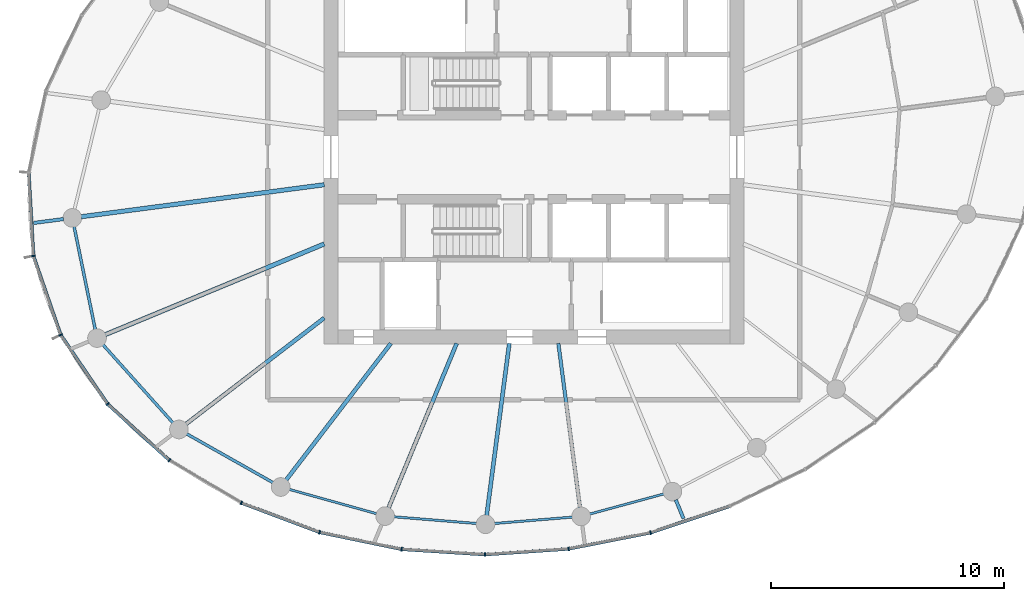
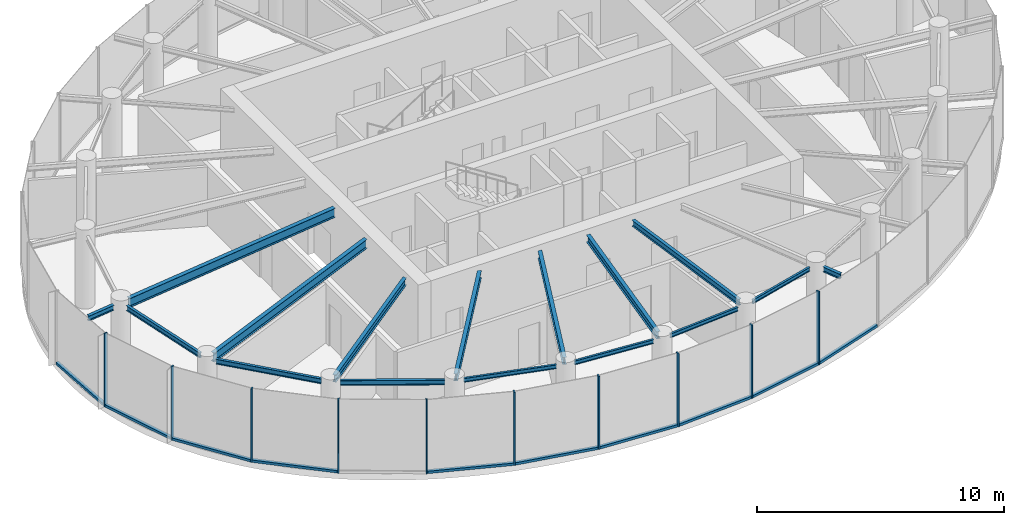
# One storey, part 2 of 13: 20 members, 16 beams, 3 elements without a shape of their own.
"""IFC4 building model written with IfcOpenShell, lengths in metres."""

import ifcopenshell
import ifcopenshell.guid

model = None  # the IFC model being written
_history = None  # IfcOwnerHistory: only IFC2X3 demands one
_inside = {}  # id of a spatial element -> (the spatial element, [elements in it])
_under = {}  # id of a project, library or spatial element -> (it, [spatial elements below it])
_declared = {}  # id of a project -> (the project, [libraries it declares])
_typed = {}  # id of a type object -> (the type object, [elements of that type])
_made_of = {}  # id of a material, layer set ... -> (it, [elements and type objects made of it])


def new_model(schema):
    """Start an empty IFC model of exactly this schema.

    Asked for "IFC4X3", IfcOpenShell would pick the latest addendum, in which some entities
    have other attributes; the version numbers below select the first issue.
    IFC2X3 requires an IfcOwnerHistory on every rooted entity: one is made here for all.
    """
    global model, _history
    if schema == "IFC4X3":
        model = ifcopenshell.file(schema_version=(4, 3, 0, 0))
    else:
        model = ifcopenshell.file(schema=schema)
    _inside.clear()
    _under.clear()
    _declared.clear()
    _typed.clear()
    _made_of.clear()
    _history = None
    if model.schema == "IFC2X3":
        org = make("IfcOrganization", Name="unknown")
        user = make(
            "IfcPersonAndOrganization",
            ThePerson=make("IfcPerson", FamilyName="unknown"),
            TheOrganization=org,
        )
        app = make(
            "IfcApplication",
            ApplicationDeveloper=org,
            Version="unknown",
            ApplicationFullName="unknown",
            ApplicationIdentifier="unknown",
        )
        _history = make(
            "IfcOwnerHistory",
            OwningUser=user,
            OwningApplication=app,
            ChangeAction="ADDED",
            CreationDate=0,
        )
    return model


def make(cls, **values):
    """One entity of the class cls with the attributes given. An attribute that is None is left unset."""
    return model.create_entity(
        cls, **{name: value for name, value in values.items() if value is not None}
    )


def rooted(cls, **values):
    """An entity with a GlobalId (a new one), such as an element, a storey or a relation."""
    return make(cls, GlobalId=ifcopenshell.guid.new(), OwnerHistory=_history, **values)


def si_unit(unit_type, name, prefix=None):
    """IfcSIUnit, for example si_unit("LENGTHUNIT", "METRE", prefix="MILLI")."""
    return make("IfcSIUnit", UnitType=unit_type, Prefix=prefix, Name=name)


def assignment(units):
    """IfcUnitAssignment: the units of a project."""
    return None if units is None else make("IfcUnitAssignment", Units=units)


def point(xyz):
    """IfcCartesianPoint."""
    return None if xyz is None else make("IfcCartesianPoint", Coordinates=xyz)


def direction(xyz):
    """IfcDirection."""
    return None if xyz is None else make("IfcDirection", DirectionRatios=xyz)


def frame(location, z_axis=None, x_axis=None):
    """IfcAxis2Placement3D, a coordinate frame: its origin and axes. An axis left out is left unset."""
    return make(
        "IfcAxis2Placement3D",
        Location=point(location),
        Axis=direction(z_axis),
        RefDirection=direction(x_axis),
    )


def frame_2d(location, x_axis=None):
    """IfcAxis2Placement2D, a coordinate frame in the plane: its origin and x axis."""
    return make(
        "IfcAxis2Placement2D", Location=point(location), RefDirection=direction(x_axis)
    )


def origin():
    """The frame at (0, 0, 0) with its axes left unset."""
    return frame((0.0, 0.0, 0.0))


def origin_2d():
    """The frame at (0, 0) in the plane with its x axis left unset."""
    return frame_2d((0.0, 0.0))


def place(relative_to, where):
    """IfcLocalPlacement: puts the frame where relative to a parent placement (None: the world)."""
    return make(
        "IfcLocalPlacement", PlacementRelTo=relative_to, RelativePlacement=where
    )


def context(
    kind, dimensions, precision=None, world=None, true_north=None, identifier=None
):
    """IfcGeometricRepresentationContext, for example the 3D "Model" context."""
    return make(
        "IfcGeometricRepresentationContext",
        ContextIdentifier=identifier,
        ContextType=kind,
        CoordinateSpaceDimension=dimensions,
        Precision=precision,
        WorldCoordinateSystem=world,
        TrueNorth=true_north,
    )


def subcontext(parent, identifier, kind, view, scale=None):
    """IfcGeometricRepresentationSubContext, for example "Body" below "Model"."""
    return make(
        "IfcGeometricRepresentationSubContext",
        ContextIdentifier=identifier,
        ContextType=kind,
        ParentContext=parent,
        TargetScale=scale,
        TargetView=view,
    )


def project(units=None, contexts=None):
    """IfcProject with its units and contexts."""
    return rooted(
        "IfcProject",
        Name="project",
        RepresentationContexts=contexts,
        UnitsInContext=assignment(units),
    )


def spatial(cls, under=None, at=None, **own):
    """A site, building, storey or space (cls), placed at a placement, below another one or the project."""
    s = rooted(cls, ObjectPlacement=at, **own)
    if under is not None:
        _under.setdefault(under.id(), (under, []))[1].append(s)
    return s


def profile(cls, at=None, kind="AREA", **sizes):
    """A parametric profile (cls). Its sizes go by their IFC names, for example OverallWidth=200.0."""
    return make(cls, ProfileType=kind, Position=at, **sizes)


def rectangle(**sizes):
    """IfcRectangleProfileDef."""
    return profile("IfcRectangleProfileDef", **sizes)


def i_section(**sizes):
    """IfcIShapeProfileDef."""
    return profile("IfcIShapeProfileDef", **sizes)


def extrude(swept, where, along, depth):
    """IfcExtrudedAreaSolid: the profile swept, set in the frame where, extruded along a direction by depth."""
    return make(
        "IfcExtrudedAreaSolid",
        SweptArea=swept,
        Position=where,
        ExtrudedDirection=direction(along),
        Depth=depth,
    )


def shape(context_of_items, identifier, shape_type, items):
    """IfcShapeRepresentation: the items that make up one representation, for example the "Body"."""
    return make(
        "IfcShapeRepresentation",
        ContextOfItems=context_of_items,
        RepresentationIdentifier=identifier,
        RepresentationType=shape_type,
        Items=items,
    )


def source(mapping_origin, context_of_items, identifier, shape_type, items):
    """IfcRepresentationMap: a shape defined once, which mapped items show again and again."""
    return make(
        "IfcRepresentationMap",
        MappingOrigin=mapping_origin,
        MappedRepresentation=shape(context_of_items, identifier, shape_type, items),
    )


def transform(
    local_origin,
    x_axis=None,
    y_axis=None,
    z_axis=None,
    scale=None,
    scale2=None,
    scale3=None,
    uniform=True,
):
    """IfcCartesianTransformationOperator3D, or its non-uniform kind. x_axis, y_axis, z_axis: its Axis1, 2, 3."""
    if uniform:
        return make(
            "IfcCartesianTransformationOperator3D",
            Axis1=direction(x_axis),
            Axis2=direction(y_axis),
            LocalOrigin=point(local_origin),
            Scale=scale,
            Axis3=direction(z_axis),
        )
    return make(
        "IfcCartesianTransformationOperator3DnonUniform",
        Axis1=direction(x_axis),
        Axis2=direction(y_axis),
        LocalOrigin=point(local_origin),
        Scale=scale,
        Axis3=direction(z_axis),
        Scale2=scale2,
        Scale3=scale3,
    )


def mapped(mapping_source, mapping_target):
    """IfcMappedItem: shows the shape of a source again, moved by a transform."""
    return make(
        "IfcMappedItem", MappingSource=mapping_source, MappingTarget=mapping_target
    )


def material(Name=None, Category=None):
    """IfcMaterial."""
    return make("IfcMaterial", Name=Name, Category=Category)


def layer(
    of_material, thickness, ventilated=None, Name=None, Category=None, Priority=None
):
    """IfcMaterialLayer: one layer of a wall or slab, of a material (None: an air gap)."""
    return make(
        "IfcMaterialLayer",
        Material=of_material,
        LayerThickness=thickness,
        IsVentilated=ventilated,
        Name=Name,
        Category=Category,
        Priority=Priority,
    )


def layer_set(layers, Name=None):
    """IfcMaterialLayerSet."""
    return make("IfcMaterialLayerSet", MaterialLayers=layers, LayerSetName=Name)


def material_profile(
    of_material, cross_section, Name=None, Category=None, Priority=None
):
    """IfcMaterialProfile: a cross section and its material."""
    return make(
        "IfcMaterialProfile",
        Name=Name,
        Material=of_material,
        Profile=cross_section,
        Priority=Priority,
        Category=Category,
    )


def profile_set(profiles, Name=None, composite=None):
    """IfcMaterialProfileSet."""
    return make(
        "IfcMaterialProfileSet",
        Name=Name,
        MaterialProfiles=profiles,
        CompositeProfile=composite,
    )


def made_of(thing, what):
    """Note that an element or type object is made of a material, layer set ...; save() writes the relation."""
    if what is not None:
        _made_of.setdefault(what.id(), (what, []))[1].append(thing)
    return thing


def type_object(cls, material=None, **own):
    """A type object (cls), such as IfcWallType, which elements share."""
    return made_of(rooted(cls, **own), material)


def element(
    cls,
    number,
    at=None,
    inside=None,
    cuts=None,
    type_object=None,
    material=None,
    context=None,
    identifier="Body",
    shape_type=None,
    held_by="IfcProductDefinitionShape",
    body=None,
    shapes=None,
    **own,
):
    """One element of the class cls, such as IfcWall. Its Tag is "e" and its number.

    at: its placement. inside: the storey or other place that contains it. cuts: it is an
    opening in that element (IfcRelVoidsElement). A single representation is given by context,
    identifier, shape_type and body (its items); several are given by shapes. held_by: the class
    of the entity that holds the representations. save() writes the other relations.
    """
    e = rooted(cls, Tag="e%d" % number, ObjectPlacement=at, **own)
    if body is not None:
        shapes = [shape(context, identifier, shape_type, body)]
    if shapes is not None:
        e.Representation = make(held_by, Representations=shapes)
    if inside is not None:
        _inside.setdefault(inside.id(), (inside, []))[1].append(e)
    if cuts is not None:
        rooted(
            "IfcRelVoidsElement", RelatingBuildingElement=cuts, RelatedOpeningElement=e
        )
    if type_object is not None:
        _typed.setdefault(type_object.id(), (type_object, []))[1].append(e)
    return made_of(e, material)


def aggregate(whole, parts):
    """IfcRelAggregates: a whole, such as a stair, and the parts it consists of."""
    return rooted("IfcRelAggregates", RelatingObject=whole, RelatedObjects=parts)


def save(model, path):
    """Write the relations noted so far, then the file.

    IfcRelAggregates (storeys below a building ...), IfcRelContainedInSpatialStructure (elements
    in a storey), IfcRelDefinesByType, IfcRelAssociatesMaterial and IfcRelDeclares: one each for
    every whole, place, type object, material and project.
    """
    for whole, parts in _under.values():
        aggregate(whole, parts)
    for where, things in _inside.values():
        rooted(
            "IfcRelContainedInSpatialStructure",
            RelatedElements=things,
            RelatingStructure=where,
        )
    for kind, things in _typed.values():
        rooted("IfcRelDefinesByType", RelatedObjects=things, RelatingType=kind)
    for what, things in _made_of.values():
        rooted("IfcRelAssociatesMaterial", RelatedObjects=things, RelatingMaterial=what)
    for by, libraries in _declared.values():
        rooted("IfcRelDeclares", RelatingContext=by, RelatedDefinitions=libraries)
    model.write(path)


model = new_model("IFC4")

# Units and contexts
model_context = context("Model", 3, precision=1e-05, world=origin(), true_north=direction((0.0, 1.0)))
body_context = subcontext(model_context, "Body", "Model", "MODEL_VIEW")
ifc_project = project(units=[si_unit("LENGTHUNIT", "METRE"), si_unit("AREAUNIT", "SQUARE_METRE"), si_unit("VOLUMEUNIT", "CUBIC_METRE"), si_unit("PLANEANGLEUNIT", "RADIAN"), si_unit("MASSUNIT", "GRAM", prefix="KILO")], contexts=[model_context])

# Site, building, storey
site_placement = place(None, origin())
site = spatial("IfcSite", under=ifc_project, at=site_placement, CompositionType="ELEMENT")
building_placement = place(site_placement, origin())
building = spatial("IfcBuilding", under=site, at=building_placement, Name="Spindrift Exchange Tower", CompositionType="ELEMENT")
storey_placement = place(building_placement, frame((0.0, 0.0, 265.699951171875)))
storey = spatial("IfcBuildingStorey", under=building, at=storey_placement, Name="L65", CompositionType="ELEMENT", Elevation=265.699951171875)

# Beams
ifc_material_1 = material(Name="Steel Grade 300", Category="steel")
ifc_material_profile_1 = material_profile(ifc_material_1, i_section(OverallWidth=0.14599609375, OverallDepth=0.251953125, WebThickness=0.006103515625, FlangeThickness=0.008544921875, FilletRadius=0.011962890625, at=origin_2d()), Name="250UB31.4")
ifc_profile_set_1 = profile_set([ifc_material_profile_1], Name="Steel Grade 300")
beam_type_1 = type_object("IfcBeamType", Name="Cantilever Beam 250UB31.4 Steel Grade 300", PredefinedType="BEAM", material=ifc_profile_set_1)
shared_shape_1 = source(origin(), body_context, "Body", "SweptSolid", [
    extrude(i_section(OverallWidth=0.14599609375, OverallDepth=0.251953125, WebThickness=0.006103515625, FlangeThickness=0.008544921875, FilletRadius=0.011962890625, at=origin_2d()), origin(), (0.0, 0.0, 1.0), 0.86962890625),
])
beam_1_placement = place(storey_placement, frame((58.082763671875, 33.31494140625, 3.494140625), z_axis=(0.382641058729, -0.923897083108, 0.0), x_axis=(0.923897083108, 0.382641058729, 0.0)))
element("IfcBeam", 1, at=beam_1_placement, inside=storey, type_object=beam_type_1, Name="L65 cantilever beam R20T", PredefinedType="BEAM", context=body_context, shape_type="MappedRepresentation", body=[
    mapped(shared_shape_1, transform((0.0, 0.0, 0.0), scale=1.0)),
])
ifc_material_profile_2 = material_profile(ifc_material_1, i_section(OverallWidth=0.18994140625, OverallDepth=0.4541015625, WebThickness=0.008544921875, FlangeThickness=0.0126953125, FilletRadius=0.013916015625, at=origin_2d()), Name="460UB67.1")
ifc_profile_set_2 = profile_set([ifc_material_profile_2], Name="Steel Grade 300")
beam_type_2 = type_object("IfcBeamType", Name="Floor Beam 460UB67.1 Steel Grade 300", PredefinedType="BEAM", material=ifc_profile_set_2)
shared_shape_2 = source(origin(), body_context, "Body", "SweptSolid", [
    extrude(i_section(OverallWidth=0.18994140625, OverallDepth=0.4541015625, WebThickness=0.008544921875, FlangeThickness=0.0126953125, FilletRadius=0.013916015625, at=origin_2d()), origin(), (0.0, 0.0, 1.0), 10.510009765625),
])
beam_2_placement = place(storey_placement, frame((43.019775390625, 46.817626953125, 3.39306640625), z_axis=(-0.991445042488, -0.130524816516, 0.0), x_axis=(0.130524816516, -0.991445042488, 0.0)))
element("IfcBeam", 2, at=beam_2_placement, inside=storey, type_object=beam_type_2, Name="L65 radial beam R13A", PredefinedType="BEAM", context=body_context, shape_type="MappedRepresentation", body=[
    mapped(shared_shape_2, transform((0.0, 0.0, 0.0), scale=1.0)),
])
shared_shape_3 = source(origin(), body_context, "Body", "SweptSolid", [
    extrude(i_section(OverallWidth=0.18994140625, OverallDepth=0.4541015625, WebThickness=0.008544921875, FlangeThickness=0.0126953125, FilletRadius=0.013916015625, at=origin_2d()), origin(), (0.0, 0.0, 1.0), 10.160400390625),
])
beam_3_placement = place(storey_placement, frame((43.0185546875, 44.27978515625, 3.39306640625), z_axis=(-0.923880358773, -0.382681437588, 0.0), x_axis=(0.382681437588, -0.923880358773, 0.0)))
element("IfcBeam", 3, at=beam_3_placement, inside=storey, type_object=beam_type_2, Name="L65 radial beam R14A", PredefinedType="BEAM", context=body_context, shape_type="MappedRepresentation", body=[
    mapped(shared_shape_3, transform((0.0, 0.0, 0.0), scale=1.0)),
])
ifc_material_profile_3 = material_profile(ifc_material_1, i_section(OverallWidth=0.1708984375, OverallDepth=0.35205078125, WebThickness=0.0068359375, FlangeThickness=0.009765625, FilletRadius=0.013916015625, at=origin_2d()), Name="360UB44.7")
ifc_profile_set_3 = profile_set([ifc_material_profile_3], Name="Steel Grade 300")
beam_type_3 = type_object("IfcBeamType", Name="Floor Beam 360UB44.7 Steel Grade 300", PredefinedType="BEAM", material=ifc_profile_set_3)
shared_shape_4 = source(origin(), body_context, "Body", "SweptSolid", [
    extrude(i_section(OverallWidth=0.1708984375, OverallDepth=0.35205078125, WebThickness=0.0068359375, FlangeThickness=0.009765625, FilletRadius=0.013916015625, at=origin_2d()), origin(), (0.0, 0.0, 1.0), 7.466796875),
])
beam_4_placement = place(storey_placement, frame((43.015869140625, 41.106201171875, 3.444091796875), z_axis=(-0.793360004804, -0.608752743548, 0.0), x_axis=(0.608752743548, -0.793360004804, 0.0)))
element("IfcBeam", 4, at=beam_4_placement, inside=storey, type_object=beam_type_3, Name="L65 radial beam R15A", PredefinedType="BEAM", context=body_context, shape_type="MappedRepresentation", body=[
    mapped(shared_shape_4, transform((0.0, 0.0, 0.0), scale=1.0)),
])
shared_shape_5 = source(origin(), body_context, "Body", "SweptSolid", [
    extrude(i_section(OverallWidth=0.1708984375, OverallDepth=0.35205078125, WebThickness=0.0068359375, FlangeThickness=0.009765625, FilletRadius=0.013916015625, at=origin_2d()), origin(), (0.0, 0.0, 1.0), 7.3740234375),
])
beam_5_placement = place(storey_placement, frame((45.87353515625, 40.015869140625, 3.444091796875), z_axis=(-0.608751913917, -0.793360641387, 0.0), x_axis=(0.793360641387, -0.608751913917, 0.0)))
element("IfcBeam", 5, at=beam_5_placement, inside=storey, type_object=beam_type_3, Name="L65 radial beam R16A", PredefinedType="BEAM", context=body_context, shape_type="MappedRepresentation", body=[
    mapped(shared_shape_5, transform((0.0, 0.0, 0.0), scale=1.0)),
])
shared_shape_6 = source(origin(), body_context, "Body", "SweptSolid", [
    extrude(i_section(OverallWidth=0.1708984375, OverallDepth=0.35205078125, WebThickness=0.0068359375, FlangeThickness=0.009765625, FilletRadius=0.013916015625, at=origin_2d()), origin(), (0.0, 0.0, 1.0), 7.630859375),
])
beam_6_placement = place(storey_placement, frame((48.69384765625, 40.0185546875, 3.444091796875), z_axis=(-0.382676740702, -0.92388230426, 0.0), x_axis=(0.92388230426, -0.382676740702, 0.0)))
element("IfcBeam", 6, at=beam_6_placement, inside=storey, type_object=beam_type_3, Name="L65 radial beam R17A", PredefinedType="BEAM", context=body_context, shape_type="MappedRepresentation", body=[
    mapped(shared_shape_6, transform((0.0, 0.0, 0.0), scale=1.0)),
])
shared_shape_7 = source(origin(), body_context, "Body", "SweptSolid", [
    extrude(i_section(OverallWidth=0.1708984375, OverallDepth=0.35205078125, WebThickness=0.0068359375, FlangeThickness=0.009765625, FilletRadius=0.013916015625, at=origin_2d()), origin(), (0.0, 0.0, 1.0), 7.43798828125),
])
beam_7_placement = place(storey_placement, frame((50.949462890625, 40.019775390625, 3.444091796875), z_axis=(-0.130540269579, -0.991443007953, 0.0), x_axis=(0.991443007953, -0.130540269579, 0.0)))
element("IfcBeam", 7, at=beam_7_placement, inside=storey, type_object=beam_type_3, Name="L65 radial beam R18A", PredefinedType="BEAM", context=body_context, shape_type="MappedRepresentation", body=[
    mapped(shared_shape_7, transform((0.0, 0.0, 0.0), scale=1.0)),
])
ifc_material_profile_4 = material_profile(ifc_material_1, i_section(OverallWidth=0.14892578125, OverallDepth=0.298095703125, WebThickness=0.005615234375, FlangeThickness=0.008056640625, FilletRadius=0.012939453125, at=origin_2d()), Name="310UB32.0")
ifc_profile_set_4 = profile_set([ifc_material_profile_4], Name="Steel Grade 300")
beam_type_4 = type_object("IfcBeamType", Name="Floor Beam 310UB32.0 Steel Grade 300", PredefinedType="BEAM", material=ifc_profile_set_4)
shared_shape_8 = source(origin(), body_context, "Body", "SweptSolid", [
    extrude(i_section(OverallWidth=0.14892578125, OverallDepth=0.298095703125, WebThickness=0.005615234375, FlangeThickness=0.008056640625, FilletRadius=0.012939453125, at=origin_2d()), origin(), (0.0, 0.0, 1.0), 7.099853515625),
])
beam_8_placement = place(storey_placement, frame((53.050537109375, 40.019775390625, 3.470947265625), z_axis=(0.130532789835, -0.991443992759, 0.0), x_axis=(0.991443992759, 0.130532789835, 0.0)))
element("IfcBeam", 8, at=beam_8_placement, inside=storey, type_object=beam_type_4, Name="L65 radial beam R19A", PredefinedType="BEAM", context=body_context, shape_type="MappedRepresentation", body=[
    mapped(shared_shape_8, transform((0.0, 0.0, 0.0), scale=1.0)),
])
ifc_material_profile_5 = material_profile(ifc_material_1, i_section(OverallWidth=0.1240234375, OverallDepth=0.248046875, WebThickness=0.0048828125, FlangeThickness=0.008056640625, FilletRadius=0.011962890625, at=origin_2d()), Name="250UB25.7")
ifc_profile_set_5 = profile_set([ifc_material_profile_5], Name="Steel Grade 300")
beam_type_5 = type_object("IfcBeamType", Name="Edge Beam 250UB25.7 Steel Grade 300", PredefinedType="SPANDREL", material=ifc_profile_set_5)
shared_shape_9 = source(origin(), body_context, "Body", "SweptSolid", [
    extrude(i_section(OverallWidth=0.1240234375, OverallDepth=0.248046875, WebThickness=0.0048828125, FlangeThickness=0.008056640625, FilletRadius=0.011962890625, at=origin_2d()), origin(), (0.0, 0.0, 1.0), 4.497802734375),
])
beam_9_placement = place(storey_placement, frame((32.299072265625, 45.024169921875, 3.49609375), z_axis=(0.201217935785, -0.979546498293, 0.0), x_axis=(0.979546498293, 0.201217935785, 0.0)))
element("IfcBeam", 9, at=beam_9_placement, inside=storey, type_object=beam_type_5, Name="L65 edge beam E13", PredefinedType="SPANDREL", context=body_context, shape_type="MappedRepresentation", body=[
    mapped(shared_shape_9, transform((0.0, 0.0, 0.0), scale=1.0)),
])
shared_shape_10 = source(origin(), body_context, "Body", "SweptSolid", [
    extrude(i_section(OverallWidth=0.1240234375, OverallDepth=0.248046875, WebThickness=0.0048828125, FlangeThickness=0.008056640625, FilletRadius=0.011962890625, at=origin_2d()), origin(), (0.0, 0.0, 1.0), 4.499755859375),
])
beam_10_placement = place(storey_placement, frame((33.533935546875, 39.963134765625, 3.49609375), z_axis=(0.667419502646, -0.744681950558, 0.0), x_axis=(0.744681950558, 0.667419502646, 0.0)))
element("IfcBeam", 10, at=beam_10_placement, inside=storey, type_object=beam_type_5, Name="L65 edge beam E14", PredefinedType="SPANDREL", context=body_context, shape_type="MappedRepresentation", body=[
    mapped(shared_shape_10, transform((0.0, 0.0, 0.0), scale=1.0)),
])
shared_shape_11 = source(origin(), body_context, "Body", "SweptSolid", [
    extrude(i_section(OverallWidth=0.1240234375, OverallDepth=0.248046875, WebThickness=0.0048828125, FlangeThickness=0.008056640625, FilletRadius=0.011962890625, at=origin_2d()), origin(), (0.0, 0.0, 1.0), 4.2509765625),
])
beam_11_placement = place(storey_placement, frame((37.121337890625, 36.142333984375, 3.49609375), z_axis=(0.870615246867, -0.491964523033, 0.0), x_axis=(0.491964523033, 0.870615246867, 0.0)))
element("IfcBeam", 11, at=beam_11_placement, inside=storey, type_object=beam_type_5, Name="L65 edge beam E15", PredefinedType="SPANDREL", context=body_context, shape_type="MappedRepresentation", body=[
    mapped(shared_shape_11, transform((0.0, 0.0, 0.0), scale=1.0)),
])
ifc_material_profile_6 = material_profile(ifc_material_1, i_section(OverallWidth=0.09912109375, OverallDepth=0.197998046875, WebThickness=0.00439453125, FlangeThickness=0.007080078125, FilletRadius=0.010986328125, at=origin_2d()), Name="200UB18.2")
ifc_profile_set_6 = profile_set([ifc_material_profile_6], Name="Steel Grade 300")
beam_type_6 = type_object("IfcBeamType", Name="Edge Beam 200UB18.2 Steel Grade 300", PredefinedType="SPANDREL", material=ifc_profile_set_6)
shared_shape_12 = source(origin(), body_context, "Body", "SweptSolid", [
    extrude(i_section(OverallWidth=0.09912109375, OverallDepth=0.197998046875, WebThickness=0.00439453125, FlangeThickness=0.007080078125, FilletRadius=0.010986328125, at=origin_2d()), origin(), (0.0, 0.0, 1.0), 3.885498046875),
])
beam_12_placement = place(storey_placement, frame((41.519287109375, 33.761962890625, 3.52099609375), z_axis=(0.963333134661, -0.268308165482, 0.0), x_axis=(0.268308165482, 0.963333134661, 0.0)))
element("IfcBeam", 12, at=beam_12_placement, inside=storey, type_object=beam_type_6, Name="L65 edge beam E16", PredefinedType="SPANDREL", context=body_context, shape_type="MappedRepresentation", body=[
    mapped(shared_shape_12, transform((0.0, 0.0, 0.0), scale=1.0)),
])
shared_shape_13 = source(origin(), body_context, "Body", "SweptSolid", [
    extrude(i_section(OverallWidth=0.09912109375, OverallDepth=0.197998046875, WebThickness=0.00439453125, FlangeThickness=0.007080078125, FilletRadius=0.010986328125, at=origin_2d()), origin(), (0.0, 0.0, 1.0), 3.5546875),
])
beam_13_placement = place(storey_placement, frame((46.007080078125, 32.586669921875, 3.52099609375), z_axis=(0.996727103969, -0.080839842983, 0.0), x_axis=(0.080839842983, 0.996727103969, 0.0)))
element("IfcBeam", 13, at=beam_13_placement, inside=storey, type_object=beam_type_6, Name="L65 edge beam E17", PredefinedType="SPANDREL", context=body_context, shape_type="MappedRepresentation", body=[
    mapped(shared_shape_13, transform((0.0, 0.0, 0.0), scale=1.0)),
])
shared_shape_14 = source(origin(), body_context, "Body", "SweptSolid", [
    extrude(i_section(OverallWidth=0.09912109375, OverallDepth=0.197998046875, WebThickness=0.00439453125, FlangeThickness=0.007080078125, FilletRadius=0.010986328125, at=origin_2d()), origin(), (0.0, 0.0, 1.0), 3.351806640625),
])
beam_14_placement = place(storey_placement, frame((50.3076171875, 32.2998046875, 3.52099609375), z_axis=(0.996672670999, 0.081508201334, 0.0), x_axis=(-0.081508201334, 0.996672670999, 0.0)))
element("IfcBeam", 14, at=beam_14_placement, inside=storey, type_object=beam_type_6, Name="L65 edge beam E18", PredefinedType="SPANDREL", context=body_context, shape_type="MappedRepresentation", body=[
    mapped(shared_shape_14, transform((0.0, 0.0, 0.0), scale=1.0)),
])
shared_shape_15 = source(origin(), body_context, "Body", "SweptSolid", [
    extrude(i_section(OverallWidth=0.09912109375, OverallDepth=0.197998046875, WebThickness=0.00439453125, FlangeThickness=0.007080078125, FilletRadius=0.010986328125, at=origin_2d()), origin(), (0.0, 0.0, 1.0), 3.2919921875),
])
beam_15_placement = place(storey_placement, frame((54.3935546875, 32.70361328125, 3.52099609375), z_axis=(0.965045644564, 0.262081864896, 0.0), x_axis=(-0.262081864896, 0.965045644564, 0.0)))
element("IfcBeam", 15, at=beam_15_placement, inside=storey, type_object=beam_type_6, Name="L65 edge beam E19", PredefinedType="SPANDREL", context=body_context, shape_type="MappedRepresentation", body=[
    mapped(shared_shape_15, transform((0.0, 0.0, 0.0), scale=1.0)),
])
shared_shape_16 = source(origin(), body_context, "Body", "SweptSolid", [
    extrude(i_section(OverallWidth=0.14599609375, OverallDepth=0.251953125, WebThickness=0.006103515625, FlangeThickness=0.008544921875, FilletRadius=0.011962890625, at=origin_2d()), origin(), (0.0, 0.0, 1.0), 1.293212890625),
])
beam_16_placement = place(storey_placement, frame((31.845947265625, 45.3466796875, 3.494140625), z_axis=(-0.991455580564, -0.130444746034, 0.0), x_axis=(0.130444746034, -0.991455580564, 0.0)))
element("IfcBeam", 16, at=beam_16_placement, inside=storey, type_object=beam_type_1, Name="L65 cantilever beam R13T", PredefinedType="BEAM", context=body_context, shape_type="MappedRepresentation", body=[
    mapped(shared_shape_16, transform((0.0, 0.0, 0.0), scale=1.0)),
])

# Curtain wall, member
ifc_material_2 = material(Name="Fritted laminated glass with bronze frame", Category="glass")
ifc_layer = layer(ifc_material_2, 0.159912109375)
ifc_layer_set = layer_set([ifc_layer], Name="ZONE 5 BRONZE FRITTED WALL")
curtain_wall_type = type_object("IfcCurtainWallType", Name="ZONE 5 BRONZE FRITTED WALL", PredefinedType="NOTDEFINED", material=ifc_layer_set)
curtain_wall_1_placement = place(storey_placement, origin())
curtain_wall_1 = element("IfcCurtainWall", 17, at=curtain_wall_1_placement, inside=storey, type_object=curtain_wall_type, Name="L65 Zone 5 Bronze Fritted Wall run 4", PredefinedType="NOTDEFINED")
ifc_material_3 = material(Name="Bronze anodised aluminium", Category="aluminium")
ifc_material_profile_7 = material_profile(ifc_material_3, rectangle(XDim=0.139892578125, YDim=0.1201171875, at=origin_2d()), Name="ZONE 5 BRONZE FRITTED WALL TRANSOM 140X120")
ifc_profile_set_7 = profile_set([ifc_material_profile_7], Name="Bronze anodised aluminium")
member_type_1 = type_object("IfcMemberType", Name="ZONE 5 BRONZE FRITTED WALL TRANSOM 140X120", PredefinedType="USERDEFINED", material=ifc_profile_set_7)
shared_shape_17 = source(origin(), body_context, "Body", "SweptSolid", [
    extrude(rectangle(XDim=0.139892578125, YDim=0.1201171875, at=origin_2d()), origin(), (0.0, 0.0, 1.0), 3.52587890625),
])
member_1_placement = place(storey_placement, frame((46.362060546875, 31.194580078125, 0.06005859375), z_axis=(0.997977783354, -0.063563699793, 0.0), x_axis=(0.063563699793, 0.997977783354, 0.0)))
member_1 = element("IfcMember", 18, at=member_1_placement, type_object=member_type_1, Name="L65 transom CW-5.24", ObjectType="TRANSOM", PredefinedType="USERDEFINED", context=body_context, shape_type="MappedRepresentation", body=[
    mapped(shared_shape_17, transform((0.0, 0.0, 0.0), scale=1.0)),
])

curtain_wall_2_placement = place(storey_placement, origin())
curtain_wall_2 = element("IfcCurtainWall", 19, at=curtain_wall_2_placement, inside=storey, type_object=curtain_wall_type, Name="L65 Zone 5 Bronze Fritted Wall run 5", PredefinedType="NOTDEFINED")
shared_shape_18 = source(origin(), body_context, "Body", "SweptSolid", [
    extrude(rectangle(XDim=0.139892578125, YDim=0.1201171875, at=origin_2d()), origin(), (0.0, 0.0, 1.0), 3.5263671875),
])
member_2_placement = place(storey_placement, frame((53.518310546875, 31.2177734375, 0.06005859375), z_axis=(0.9810439047, 0.193785595572, 0.0), x_axis=(-0.193785595572, 0.9810439047, 0.0)))
member_2 = element("IfcMember", 20, at=member_2_placement, type_object=member_type_1, Name="L65 transom CW-5.26", ObjectType="TRANSOM", PredefinedType="USERDEFINED", context=body_context, shape_type="MappedRepresentation", body=[
    mapped(shared_shape_18, transform((0.0, 0.0, 0.0), scale=1.0)),
])

# Member
shared_shape_19 = source(origin(), body_context, "Body", "SweptSolid", [
    extrude(rectangle(XDim=0.139892578125, YDim=0.1201171875, at=origin_2d()), origin(), (0.0, 0.0, 1.0), 3.521484375),
])
member_3_placement = place(storey_placement, frame((33.756103515625, 37.400390625, 0.06005859375), z_axis=(0.739368881408, -0.673300569736, 0.0), x_axis=(0.673300569736, 0.739368881408, 0.0)))
member_3 = element("IfcMember", 21, at=member_3_placement, type_object=member_type_1, Name="L65 transom CW-5.20", ObjectType="TRANSOM", PredefinedType="USERDEFINED", context=body_context, shape_type="MappedRepresentation", body=[
    mapped(shared_shape_19, transform((0.0, 0.0, 0.0), scale=1.0)),
])

shared_shape_20 = source(origin(), body_context, "Body", "SweptSolid", [
    extrude(rectangle(XDim=0.139892578125, YDim=0.1201171875, at=origin_2d()), origin(), (0.0, 0.0, 1.0), 3.519287109375),
])
member_4_placement = place(storey_placement, frame((31.740234375, 40.357177734375, 0.06005859375), z_axis=(0.561708366832, -0.827335307255, 0.0), x_axis=(0.827335307255, 0.561708366832, 0.0)))
member_4 = element("IfcMember", 22, at=member_4_placement, type_object=member_type_1, Name="L65 transom CW-5.19", ObjectType="TRANSOM", PredefinedType="USERDEFINED", context=body_context, shape_type="MappedRepresentation", body=[
    mapped(shared_shape_20, transform((0.0, 0.0, 0.0), scale=1.0)),
])

shared_shape_21 = source(origin(), body_context, "Body", "SweptSolid", [
    extrude(rectangle(XDim=0.139892578125, YDim=0.1201171875, at=origin_2d()), origin(), (0.0, 0.0, 1.0), 3.526123046875),
])
member_5_placement = place(storey_placement, frame((49.94091796875, 30.970703125, 0.06005859375), z_axis=(0.997695424842, 0.067851597248, 0.0), x_axis=(-0.067851597248, 0.997695424842, 0.0)))
member_5 = element("IfcMember", 23, at=member_5_placement, type_object=member_type_1, Name="L65 transom CW-5.25", ObjectType="TRANSOM", PredefinedType="USERDEFINED", context=body_context, shape_type="MappedRepresentation", body=[
    mapped(shared_shape_21, transform((0.0, 0.0, 0.0), scale=1.0)),
])

member_6_placement = place(storey_placement, frame((57.03564453125, 31.91650390625, 0.06005859375), z_axis=(0.948530869173, 0.31668468581, 0.0), x_axis=(-0.31668468581, 0.948530869173, 0.0)))
member_6 = element("IfcMember", 24, at=member_6_placement, type_object=member_type_1, Name="L65 transom CW-5.27", ObjectType="TRANSOM", PredefinedType="USERDEFINED", context=body_context, shape_type="MappedRepresentation", body=[
    mapped(shared_shape_21, transform((0.0, 0.0, 0.0), scale=1.0)),
])

# Curtain wall, members
curtain_wall_3_placement = place(storey_placement, origin())
curtain_wall_3 = element("IfcCurtainWall", 25, at=curtain_wall_3_placement, inside=storey, type_object=curtain_wall_type, Name="L65 Zone 5 Bronze Fritted Wall run 3", PredefinedType="NOTDEFINED")
shared_shape_22 = source(origin(), body_context, "Body", "SweptSolid", [
    extrude(rectangle(XDim=0.139892578125, YDim=0.1201171875, at=origin_2d()), origin(), (0.0, 0.0, 1.0), 3.517578125),
])
member_7_placement = place(storey_placement, frame((30.3515625, 47.304931640625, 0.06005859375), z_axis=(0.057330467297, -0.998355256169, 0.0), x_axis=(0.998355256169, 0.057330467297, 0.0)))
member_7 = element("IfcMember", 26, at=member_7_placement, type_object=member_type_1, Name="L65 transom CW-5.17", ObjectType="TRANSOM", PredefinedType="USERDEFINED", context=body_context, shape_type="MappedRepresentation", body=[
    mapped(shared_shape_22, transform((0.0, 0.0, 0.0), scale=1.0)),
])
member_8_placement = place(storey_placement, frame((30.564697265625, 43.73486328125, 0.06005859375), z_axis=(0.326619459421, -0.945155928261, 0.0), x_axis=(0.945155928261, 0.326619459421, 0.0)))
member_8 = element("IfcMember", 27, at=member_8_placement, type_object=member_type_1, Name="L65 transom CW-5.18", ObjectType="TRANSOM", PredefinedType="USERDEFINED", context=body_context, shape_type="MappedRepresentation", body=[
    mapped(shared_shape_22, transform((0.0, 0.0, 0.0), scale=1.0)),
])

# Member
shared_shape_23 = source(origin(), body_context, "Body", "SweptSolid", [
    extrude(rectangle(XDim=0.139892578125, YDim=0.1201171875, at=origin_2d()), origin(), (0.0, 0.0, 1.0), 3.525634765625),
])
member_9_placement = place(storey_placement, frame((42.850341796875, 31.916748046875, 0.06005859375), z_axis=(0.979256629171, -0.202623923128, 0.0), x_axis=(0.202623923128, 0.979256629171, 0.0)))
member_9 = element("IfcMember", 28, at=member_9_placement, type_object=member_type_1, Name="L65 transom CW-5.23", ObjectType="TRANSOM", PredefinedType="USERDEFINED", context=body_context, shape_type="MappedRepresentation", body=[
    mapped(shared_shape_23, transform((0.0, 0.0, 0.0), scale=1.0)),
])

shared_shape_24 = source(origin(), body_context, "Body", "SweptSolid", [
    extrude(rectangle(XDim=0.139892578125, YDim=0.1201171875, at=origin_2d()), origin(), (0.0, 0.0, 1.0), 3.52490234375),
])
member_10_placement = place(storey_placement, frame((39.492919921875, 33.171875, 0.06005859375), z_axis=(0.936235211324, -0.351373916331, 0.0), x_axis=(0.351373916331, 0.936235211324, 0.0)))
member_10 = element("IfcMember", 29, at=member_10_placement, type_object=member_type_1, Name="L65 transom CW-5.22", ObjectType="TRANSOM", PredefinedType="USERDEFINED", context=body_context, shape_type="MappedRepresentation", body=[
    mapped(shared_shape_24, transform((0.0, 0.0, 0.0), scale=1.0)),
])

ifc_material_profile_8 = material_profile(ifc_material_3, rectangle(XDim=0.06005859375, YDim=0.159912109375, at=origin_2d()), Name="ZONE 5 BRONZE FRITTED WALL MULLION 60X160")
ifc_profile_set_8 = profile_set([ifc_material_profile_8], Name="Bronze anodised aluminium")
member_type_2 = type_object("IfcMemberType", Name="ZONE 5 BRONZE FRITTED WALL MULLION 60X160", PredefinedType="MULLION", material=ifc_profile_set_8)
shared_shape_25 = source(origin(), body_context, "Body", "SweptSolid", [
    extrude(rectangle(XDim=0.06005859375, YDim=0.159912109375, at=origin_2d()), origin(), (0.0, 0.0, 1.0), 3.6201171875),
])
member_11_placement = place(storey_placement, frame((30.554931640625, 43.76318359375, 0.0), z_axis=(0.0, 0.0, 1.0), x_axis=(0.193820609032, -0.981036987842, 0.0)))
member_11 = element("IfcMember", 30, at=member_11_placement, type_object=member_type_2, Name="L65 mullion CW-5.18", PredefinedType="MULLION", context=body_context, shape_type="MappedRepresentation", body=[
    mapped(shared_shape_25, transform((0.0, 0.0, 0.0), scale=1.0)),
])

aggregate(curtain_wall_3, [member_7, member_11, member_8])

member_12_placement = place(storey_placement, frame((31.723388671875, 40.3818359375, 0.0), z_axis=(0.0, 0.0, 1.0), x_axis=(0.448054883464, -0.894006052219, 0.0)))
member_12 = element("IfcMember", 31, at=member_12_placement, type_object=member_type_2, Name="L65 mullion CW-5.19", PredefinedType="MULLION", context=body_context, shape_type="MappedRepresentation", body=[
    mapped(shared_shape_25, transform((0.0, 0.0, 0.0), scale=1.0)),
])

member_13_placement = place(storey_placement, frame((33.73388671875, 37.420654296875, 0.0), z_axis=(0.0, 0.0, 1.0), x_axis=(0.655075341804, -0.755563562224, 0.0)))
member_13 = element("IfcMember", 32, at=member_13_placement, type_object=member_type_2, Name="L65 mullion CW-5.20", PredefinedType="MULLION", context=body_context, shape_type="MappedRepresentation", body=[
    mapped(shared_shape_25, transform((0.0, 0.0, 0.0), scale=1.0)),
])

member_14_placement = place(storey_placement, frame((36.382080078125, 35.00927734375, 0.0), z_axis=(0.0, 0.0, 1.0), x_axis=(0.803985778091, -0.594648525288, 0.0)))
member_14 = element("IfcMember", 33, at=member_14_placement, type_object=member_type_2, Name="L65 mullion CW-5.21", PredefinedType="MULLION", context=body_context, shape_type="MappedRepresentation", body=[
    mapped(shared_shape_25, transform((0.0, 0.0, 0.0), scale=1.0)),
])

member_15_placement = place(storey_placement, frame((39.46484375, 33.182373046875, 0.0), z_axis=(0.0, 0.0, 1.0), x_axis=(0.901757763176, -0.432241757067, 0.0)))
member_15 = element("IfcMember", 34, at=member_15_placement, type_object=member_type_2, Name="L65 mullion CW-5.22", PredefinedType="MULLION", context=body_context, shape_type="MappedRepresentation", body=[
    mapped(shared_shape_25, transform((0.0, 0.0, 0.0), scale=1.0)),
])

member_16_placement = place(storey_placement, frame((42.821044921875, 31.9228515625, 0.0), z_axis=(0.0, 0.0, 1.0), x_axis=(0.960636763209, -0.277807503808, 0.0)))
member_16 = element("IfcMember", 35, at=member_16_placement, type_object=member_type_2, Name="L65 mullion CW-5.23", PredefinedType="MULLION", context=body_context, shape_type="MappedRepresentation", body=[
    mapped(shared_shape_25, transform((0.0, 0.0, 0.0), scale=1.0)),
])

member_17_placement = place(storey_placement, frame((46.33203125, 31.1962890625, 0.0), z_axis=(0.0, 0.0, 1.0), x_axis=(0.991061943544, -0.133402488953, 0.0)))
member_17 = element("IfcMember", 36, at=member_17_placement, type_object=member_type_2, Name="L65 mullion CW-5.24", PredefinedType="MULLION", context=body_context, shape_type="MappedRepresentation", body=[
    mapped(shared_shape_25, transform((0.0, 0.0, 0.0), scale=1.0)),
])

aggregate(curtain_wall_1, [member_12, member_4, member_13, member_3, member_14, member_15, member_10, member_16, member_9, member_17, member_1])

member_18_placement = place(storey_placement, frame((49.910888671875, 30.968505859375, 0.0), z_axis=(0.0, 0.0, 1.0), x_axis=(0.99999765909, 0.002163749901, 0.0)))
member_18 = element("IfcMember", 37, at=member_18_placement, type_object=member_type_2, Name="L65 mullion CW-5.25", PredefinedType="MULLION", context=body_context, shape_type="MappedRepresentation", body=[
    mapped(shared_shape_25, transform((0.0, 0.0, 0.0), scale=1.0)),
])

member_19_placement = place(storey_placement, frame((53.489013671875, 31.2119140625, 0.0), z_axis=(0.0, 0.0, 1.0), x_axis=(0.991369642883, 0.131096266802, 0.0)))
member_19 = element("IfcMember", 38, at=member_19_placement, type_object=member_type_2, Name="L65 mullion CW-5.26", PredefinedType="MULLION", context=body_context, shape_type="MappedRepresentation", body=[
    mapped(shared_shape_25, transform((0.0, 0.0, 0.0), scale=1.0)),
])

member_20_placement = place(storey_placement, frame((57.007080078125, 31.906982421875, 0.0), z_axis=(0.0, 0.0, 1.0), x_axis=(0.966741870637, 0.255754091966, 0.0)))
member_20 = element("IfcMember", 39, at=member_20_placement, type_object=member_type_2, Name="L65 mullion CW-5.27", PredefinedType="MULLION", context=body_context, shape_type="MappedRepresentation", body=[
    mapped(shared_shape_25, transform((0.0, 0.0, 0.0), scale=1.0)),
])

aggregate(curtain_wall_2, [member_18, member_5, member_19, member_2, member_20, member_6])

save(model, "model.ifc")
